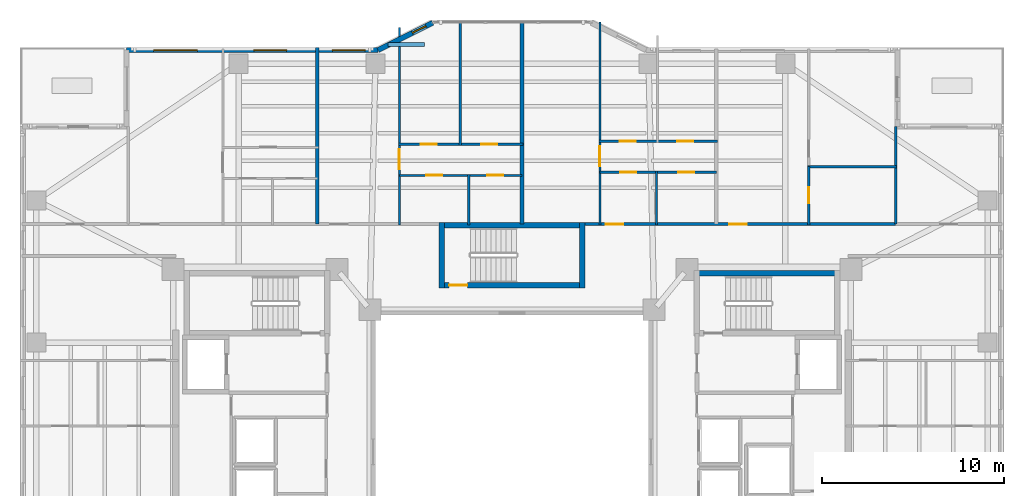
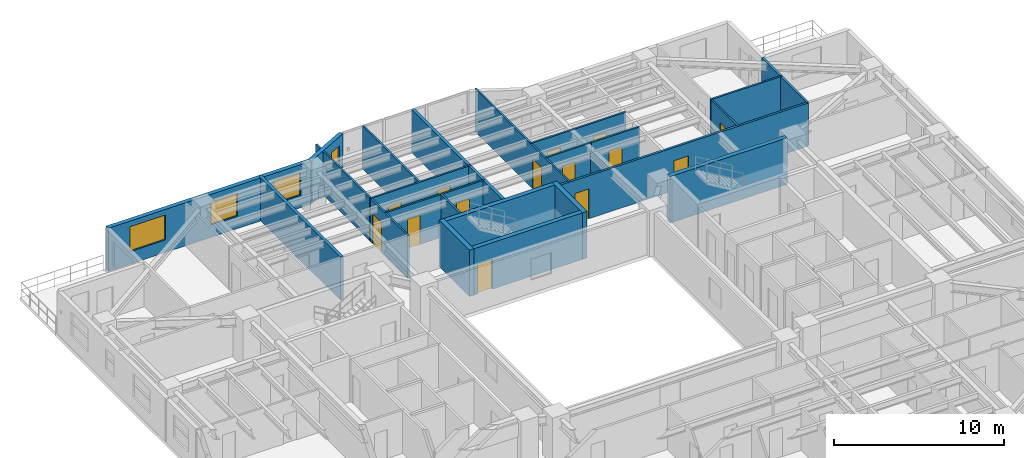
# One storey, part 11 of 19: 25 walls, 14 doors, 4 windows, 18 openings.
"""IFC4 building model written with IfcOpenShell, lengths in metres."""

from ifc_helpers import new_model, si_unit, direction, frame, frame_2d, origin, place, context, subcontext, project, spatial, rectangle, extrude, material, layer, layer_set, type_object, element, fill, save


model = new_model("IFC4")

# Units and contexts
model_context = context("Model", 3, precision=1e-05, world=origin(), true_north=direction((0.0, 1.0)))
body_context = subcontext(model_context, "Body", "Model", "MODEL_VIEW")
ifc_project = project(units=[si_unit("LENGTHUNIT", "METRE"), si_unit("AREAUNIT", "SQUARE_METRE"), si_unit("VOLUMEUNIT", "CUBIC_METRE"), si_unit("PLANEANGLEUNIT", "RADIAN"), si_unit("MASSUNIT", "GRAM", prefix="KILO")], contexts=[model_context])

# Site, building, storey
site_placement = place(None, origin())
site = spatial("IfcSite", under=ifc_project, at=site_placement, CompositionType="ELEMENT")
building_placement = place(site_placement, origin())
building = spatial("IfcBuilding", under=site, at=building_placement, Name="Tarnavaz Court Tower", CompositionType="ELEMENT")
storey_placement = place(building_placement, frame((0.0, 0.0, 78.300048828125)))
storey = spatial("IfcBuildingStorey", under=building, at=storey_placement, Name="L20", CompositionType="ELEMENT", Elevation=78.300048828125)

# Walls
ifc_material_1 = material(Name="Concrete C60/75", Category="concrete")
ifc_layer_1 = layer(ifc_material_1, 0.300048828125)
ifc_layer_set_1 = layer_set([ifc_layer_1], Name="Concrete C60/75")
wall_type_1 = type_object("IfcWallType", Name="WL-CORE-300-C60", PredefinedType="SHEAR", material=ifc_layer_set_1)
for number, where, z_axis, x_axis, name in (
    (1, (10.0, 9.7900390625, 0.0), (0.0, 0.0, 1.0), (1.0, 0.0, 0.0), "L20 East Stair Core Wall 005"),
    (2, (-4.0, 12.43994140625, 0.0), (0.0, 0.0, 1.0), (1.0, 0.0, 0.0), "L20 North Stair Core Wall 009"),
):
    element("IfcWall", number, at=place(storey_placement, frame(where, z_axis=z_axis, x_axis=x_axis)), inside=storey, type_object=wall_type_1, Name=name, PredefinedType="SHEAR", context=body_context, shape_type="SweptSolid", body=[
        extrude(rectangle(XDim=8.0, YDim=0.300048828125, at=frame_2d((4.0, 0.0))), origin(), (0.0, 0.0, 1.0), 3.349853515625),
    ])

# Wall, opening, door
wall_1_placement = place(storey_placement, frame((-4.0, 9.14990234375, 0.0), z_axis=(0.0, 0.0, 1.0), x_axis=(1.0, 0.0, 0.0)))
wall_1 = element("IfcWall", 3, at=wall_1_placement, inside=storey, type_object=wall_type_1, Name="L20 North Stair Core Wall 010", PredefinedType="SHEAR", context=body_context, shape_type="SweptSolid", body=[
    extrude(rectangle(XDim=8.0, YDim=0.300048828125, at=frame_2d((4.0, 0.0))), origin(), (0.0, 0.0, 1.0), 3.349853515625),
])
opening_1_placement = place(wall_1_placement, frame((0.550048828125, 0.0, 0.0)))
opening_1 = element("IfcOpeningElement", 4, at=opening_1_placement, cuts=wall_1, Name="Opening D01", PredefinedType="OPENING", context=body_context, shape_type="SweptSolid", body=[
    extrude(rectangle(XDim=1.0, YDim=2.14990234375, at=frame_2d((0.5, 1.074951171875))), frame((0.0, 0.159912109375, 0.0), z_axis=(0.0, -1.0, 0.0), x_axis=(1.0, 0.0, 0.0)), (0.0, 0.0, 1.0), 0.320068359375),
])
ifc_material_2 = material(Name="Fire-Rated Hardwood Timber Core", Category="wood")
door_type_1 = type_object("IfcDoorType", Name="DR-FD90-1000", OperationType="NOTDEFINED", PredefinedType="DOOR", material=ifc_material_2)
door_1_placement = place(opening_1_placement, origin())
door_1 = element("IfcDoor", 5, at=door_1_placement, inside=storey, type_object=door_type_1, Name="L20 Stair ST-N1 Exit Door", OperationType="SINGLE_SWING_LEFT", OverallHeight=2.14990234375, OverallWidth=1.0, PredefinedType="DOOR", context=body_context, shape_type="SweptSolid", body=[
    extrude(rectangle(XDim=1.0, YDim=2.14990234375, at=frame_2d((0.5, 1.074951171875))), frame((0.0, 0.02490234375, 0.0), z_axis=(0.0, -1.0, 0.0), x_axis=(1.0, 0.0, 0.0)), (0.0, 0.0, 1.0), 0.050048828125),
])
fill(opening_1, door_1)

# Walls
for number, where, z_axis, x_axis, name in (
    (6, (-3.85009765625, 9.0, 0.0), (0.0, 0.0, 1.0), (0.0, 1.0, 0.0), "L20 North Stair Core Wall 011"),
    (7, (3.85009765625, 9.0, 0.0), (0.0, 0.0, 1.0), (0.0, 1.0, 0.0), "L20 North Stair Core Wall 012"),
):
    element("IfcWall", number, at=place(storey_placement, frame(where, z_axis=z_axis, x_axis=x_axis)), inside=storey, type_object=wall_type_1, Name=name, PredefinedType="SHEAR", context=body_context, shape_type="SweptSolid", body=[
        extrude(rectangle(XDim=3.590087890625, YDim=0.300048828125, at=frame_2d((1.794921875, 0.0))), origin(), (0.0, 0.0, 1.0), 3.349853515625),
    ])

# Wall, openings, windows
ifc_material_3 = material(Name="Precast Concrete C40/50", Category="concrete")
ifc_layer_2 = layer(ifc_material_3, 0.280029296875)
ifc_layer_set_2 = layer_set([ifc_layer_2], Name="Precast Concrete C40/50")
wall_type_2 = type_object("IfcWallType", Name="WL-EXT-280", PredefinedType="SOLIDWALL", material=ifc_layer_set_2)
wall_2_placement = place(storey_placement, frame((-21.14990234375, 22.050048828125, 0.0), z_axis=(0.0, 0.0, 1.0), x_axis=(1.0, 0.0, 0.0)))
wall_2 = element("IfcWall", 8, at=wall_2_placement, inside=storey, type_object=wall_type_2, Name="L20 Exterior Terracotta Facade Wall 05", PredefinedType="SOLIDWALL", context=body_context, shape_type="SweptSolid", body=[
    extrude(rectangle(XDim=13.7998046875, YDim=0.280029296875, at=frame_2d((6.89990234375, 0.0))), origin(), (0.0, 0.0, 1.0), 3.099853515625),
])
opening_2_placement = place(wall_2_placement, frame((1.484619140625, 0.0, 0.89990234375)))
opening_2 = element("IfcOpeningElement", 9, at=opening_2_placement, cuts=wall_2, Name="Opening W06", PredefinedType="OPENING", context=body_context, shape_type="SweptSolid", body=[
    extrude(rectangle(XDim=2.39990234375, YDim=1.800048828125, at=frame_2d((1.199951171875, 0.89990234375))), frame((0.0, 0.14990234375, 0.0), z_axis=(0.0, -1.0, 0.0), x_axis=(1.0, 0.0, 0.0)), (0.0, 0.0, 1.0), 0.300048828125),
])
opening_3_placement = place(wall_2_placement, frame((6.978515625, 0.0, 0.89990234375)))
opening_3 = element("IfcOpeningElement", 10, at=opening_3_placement, cuts=wall_2, Name="Opening W01", PredefinedType="OPENING", context=body_context, shape_type="SweptSolid", body=[
    extrude(rectangle(XDim=1.800048828125, YDim=1.64990234375, at=frame_2d((0.89990234375, 0.824951171875))), frame((0.0, 0.14990234375, 0.0), z_axis=(0.0, -1.0, 0.0), x_axis=(1.0, 0.0, 0.0)), (0.0, 0.0, 1.0), 0.300048828125),
])
opening_4_placement = place(wall_2_placement, frame((11.294189453125, 0.0, 0.89990234375)))
opening_4 = element("IfcOpeningElement", 11, at=opening_4_placement, cuts=wall_2, Name="Opening W01", PredefinedType="OPENING", context=body_context, shape_type="SweptSolid", body=[
    extrude(rectangle(XDim=1.800048828125, YDim=1.64990234375, at=frame_2d((0.89990234375, 0.824951171875))), frame((0.0, 0.14990234375, 0.0), z_axis=(0.0, -1.0, 0.0), x_axis=(1.0, 0.0, 0.0)), (0.0, 0.0, 1.0), 0.300048828125),
])
ifc_material_4 = material(Name="Double-Glazed Solar Low-E Glass", Category="glass")
window_type_1 = type_object("IfcWindowType", Name="WN-APT-1800", PartitioningType="DOUBLE_PANEL_VERTICAL", PredefinedType="WINDOW", material=ifc_material_4)
window_1_placement = place(opening_3_placement, origin())
window_1 = element("IfcWindow", 12, at=window_1_placement, inside=storey, type_object=window_type_1, Name="L20 Flat 01 Bedroom 1 Window", OverallHeight=1.64990234375, OverallWidth=1.800048828125, PartitioningType="SINGLE_PANEL", PredefinedType="WINDOW", context=body_context, shape_type="SweptSolid", body=[
    extrude(rectangle(XDim=1.800048828125, YDim=1.64990234375, at=frame_2d((0.89990234375, 0.824951171875))), frame((0.0, 0.030029296875, 0.0), z_axis=(0.0, -1.0, 0.0), x_axis=(1.0, 0.0, 0.0)), (0.0, 0.0, 1.0), 0.06005859375),
])
fill(opening_3, window_1)
window_2_placement = place(opening_4_placement, origin())
window_2 = element("IfcWindow", 13, at=window_2_placement, inside=storey, type_object=window_type_1, Name="L20 Flat 02 Living and Dining Room Window", OverallHeight=1.64990234375, OverallWidth=1.800048828125, PartitioningType="SINGLE_PANEL", PredefinedType="WINDOW", context=body_context, shape_type="SweptSolid", body=[
    extrude(rectangle(XDim=1.800048828125, YDim=1.64990234375, at=frame_2d((0.89990234375, 0.824951171875))), frame((0.0, 0.030029296875, 0.0), z_axis=(0.0, -1.0, 0.0), x_axis=(1.0, 0.0, 0.0)), (0.0, 0.0, 1.0), 0.06005859375),
])
fill(opening_4, window_2)
window_type_2 = type_object("IfcWindowType", Name="WN-APT-2400", PartitioningType="TRIPLE_PANEL_VERTICAL", PredefinedType="WINDOW", material=ifc_material_4)
window_3_placement = place(opening_2_placement, origin())
window_3 = element("IfcWindow", 14, at=window_3_placement, inside=storey, type_object=window_type_2, Name="L20 Flat 01 Living and Dining Room Window", OverallHeight=1.800048828125, OverallWidth=2.39990234375, PartitioningType="SINGLE_PANEL", PredefinedType="WINDOW", context=body_context, shape_type="SweptSolid", body=[
    extrude(rectangle(XDim=2.39990234375, YDim=1.800048828125, at=frame_2d((1.199951171875, 0.89990234375))), frame((0.0, 0.030029296875, 0.0), z_axis=(0.0, -1.0, 0.0), x_axis=(1.0, 0.0, 0.0)), (0.0, 0.0, 1.0), 0.06005859375),
])
fill(opening_2, window_3)

# Wall, opening, window
wall_3_placement = place(storey_placement, frame((-7.35009765625, 22.050048828125, 0.0), z_axis=(0.0, 0.0, 1.0), x_axis=(0.894427191, 0.4472135955, 0.0)))
wall_3 = element("IfcWall", 15, at=wall_3_placement, inside=storey, type_object=wall_type_2, Name="L20 Exterior Terracotta Facade Wall 06", PredefinedType="SOLIDWALL", context=body_context, shape_type="SweptSolid", body=[
    extrude(rectangle(XDim=3.35400390625, YDim=0.280029296875, at=frame_2d((1.677001953125, 0.0))), origin(), (0.0, 0.0, 1.0), 3.099853515625),
])
opening_5_placement = place(wall_3_placement, frame((2.098876953125, 0.0, 0.949951171875)))
opening_5 = element("IfcOpeningElement", 16, at=opening_5_placement, cuts=wall_3, Name="Opening W15", PredefinedType="OPENING", context=body_context, shape_type="SweptSolid", body=[
    extrude(rectangle(XDim=0.85009765625, YDim=1.5, at=frame_2d((0.425048828125, 0.75))), frame((0.0, 0.14990234375, 0.0), z_axis=(0.0, -1.0, 0.0), x_axis=(1.0, 0.0, 0.0)), (0.0, 0.0, 1.0), 0.300048828125),
])
window_type_3 = type_object("IfcWindowType", Name="WN-APT-850", PartitioningType="SINGLE_PANEL", PredefinedType="WINDOW", material=ifc_material_4)
window_4_placement = place(opening_5_placement, origin())
window_4 = element("IfcWindow", 17, at=window_4_placement, inside=storey, type_object=window_type_3, Name="L20 Flat 02 Principal Bedroom Window", OverallHeight=1.5, OverallWidth=0.85009765625, PartitioningType="SINGLE_PANEL", PredefinedType="WINDOW", context=body_context, shape_type="SweptSolid", body=[
    extrude(rectangle(XDim=0.85009765625, YDim=1.5, at=frame_2d((0.425048828125, 0.75))), frame((0.0, 0.030029296875, 0.0), z_axis=(0.0, -1.0, 0.0), x_axis=(1.0, 0.0, 0.0)), (0.0, 0.0, 1.0), 0.06005859375),
])
fill(opening_5, window_4)

# Wall, openings, doors
ifc_material_5 = material(Name="Gypsum Fire-Board on Acoustic Metal Stud", Category="masonry")
ifc_layer_3 = layer(ifc_material_5, 0.14990234375)
ifc_layer_set_3 = layer_set([ifc_layer_3], Name="Gypsum Fire-Board on Acoustic Metal Stud")
wall_type_3 = type_object("IfcWallType", Name="WL-FIRE-150", PredefinedType="PARTITIONING", material=ifc_layer_set_3)
wall_4_placement = place(storey_placement, frame((3.85009765625, 12.5, 0.0), z_axis=(0.0, 0.0, 1.0), x_axis=(1.0, 0.0, 0.0)))
wall_4 = element("IfcWall", 18, at=wall_4_placement, inside=storey, type_object=wall_type_3, Name="L20 NE Wing Corridor Wall 072", PredefinedType="PARTITIONING", context=body_context, shape_type="SweptSolid", body=[
    extrude(rectangle(XDim=17.199951171875, YDim=0.14990234375, at=frame_2d((8.60009765625, 0.0))), origin(), (0.0, 0.0, 1.0), 3.099853515625),
])
opening_6_placement = place(wall_4_placement, frame((1.300048828125, 0.0, 0.0)))
opening_6 = element("IfcOpeningElement", 19, at=opening_6_placement, cuts=wall_4, Name="Opening D06", PredefinedType="OPENING", context=body_context, shape_type="SweptSolid", body=[
    extrude(rectangle(XDim=0.9599609375, YDim=2.14990234375, at=frame_2d((0.47998046875, 1.074951171875))), frame((0.0, 0.0849609375, 0.0), z_axis=(0.0, -1.0, 0.0), x_axis=(1.0, 0.0, 0.0)), (0.0, 0.0, 1.0), 0.169921875),
])
opening_7_placement = place(wall_4_placement, frame((8.06005859375, 0.0, 0.0)))
opening_7 = element("IfcOpeningElement", 20, at=opening_7_placement, cuts=wall_4, Name="Opening D06", PredefinedType="OPENING", context=body_context, shape_type="SweptSolid", body=[
    extrude(rectangle(XDim=0.9599609375, YDim=2.14990234375, at=frame_2d((0.47998046875, 1.074951171875))), frame((0.0, 0.0849609375, 0.0), z_axis=(0.0, -1.0, 0.0), x_axis=(1.0, 0.0, 0.0)), (0.0, 0.0, 1.0), 0.169921875),
])
door_type_2 = type_object("IfcDoorType", Name="DR-FD60-950", OperationType="NOTDEFINED", PredefinedType="DOOR", material=ifc_material_2)
door_2_placement = place(opening_6_placement, origin())
door_2 = element("IfcDoor", 21, at=door_2_placement, inside=storey, type_object=door_type_2, Name="L20 Flat 03 Entrance Door", OperationType="SINGLE_SWING_RIGHT", OverallHeight=2.14990234375, OverallWidth=0.9599609375, PredefinedType="DOOR", context=body_context, shape_type="SweptSolid", body=[
    extrude(rectangle(XDim=0.9599609375, YDim=2.14990234375, at=frame_2d((0.47998046875, 1.074951171875))), frame((0.0, 0.02490234375, 0.0), z_axis=(0.0, -1.0, 0.0), x_axis=(1.0, 0.0, 0.0)), (0.0, 0.0, 1.0), 0.050048828125),
])
fill(opening_6, door_2)
door_3_placement = place(opening_7_placement, origin())
door_3 = element("IfcDoor", 22, at=door_3_placement, inside=storey, type_object=door_type_2, Name="L20 Flat 04 Entrance Door", OperationType="SINGLE_SWING_RIGHT", OverallHeight=2.14990234375, OverallWidth=0.9599609375, PredefinedType="DOOR", context=body_context, shape_type="SweptSolid", body=[
    extrude(rectangle(XDim=0.9599609375, YDim=2.14990234375, at=frame_2d((0.47998046875, 1.074951171875))), frame((0.0, 0.02490234375, 0.0), z_axis=(0.0, -1.0, 0.0), x_axis=(1.0, 0.0, 0.0)), (0.0, 0.0, 1.0), 0.050048828125),
])
fill(opening_7, door_3)

# Walls
ifc_material_6 = material(Name="Autoclaved Aerated Concrete Blockwork", Category="masonry")
ifc_layer_4 = layer(ifc_material_6, 0.199951171875)
ifc_layer_set_4 = layer_set([ifc_layer_4], Name="Autoclaved Aerated Concrete Blockwork")
wall_type_4 = type_object("IfcWallType", Name="WL-FIRE-200", PredefinedType="SOLIDWALL", material=ifc_layer_set_4)
wall_5_placement = place(storey_placement, frame((0.550048828125, 12.5, 0.0), z_axis=(0.0, 0.0, 1.0), x_axis=(0.0, 1.0, 0.0)))
element("IfcWall", 23, at=wall_5_placement, inside=storey, type_object=wall_type_4, Name="L20 North Center Party Wall 075", PredefinedType="SOLIDWALL", context=body_context, shape_type="SweptSolid", body=[
    extrude(rectangle(XDim=11.080078125, YDim=0.199951171875, at=frame_2d((5.5400390625, 0.0))), origin(), (0.0, 0.0, 1.0), 3.099853515625),
])
wall_6_placement = place(storey_placement, frame((-10.681884765625, 12.5, 0.0), z_axis=(0.0, 0.0, 1.0), x_axis=(0.0, 1.0, 0.0)))
element("IfcWall", 24, at=wall_6_placement, inside=storey, type_object=wall_type_4, Name="L20 Party Wall 076", PredefinedType="SOLIDWALL", context=body_context, shape_type="SweptSolid", body=[
    extrude(rectangle(XDim=9.677978515625, YDim=0.199951171875, at=frame_2d((4.8388671875, 0.0))), origin(), (0.0, 0.0, 1.0), 3.099853515625),
])
ifc_layer_5 = layer(ifc_material_3, 0.219970703125)
ifc_layer_set_5 = layer_set([ifc_layer_5], Name="Precast Concrete C40/50")
wall_type_5 = type_object("IfcWallType", Name="WL-PARAPET-220", PredefinedType="PARAPET", material=ifc_layer_set_5)
wall_7_placement = place(storey_placement, frame((-6.800048828125, 22.35009765625, 0.0), z_axis=(0.0, 0.0, 1.0), x_axis=(1.0, 0.0, 0.0)))
element("IfcWall", 25, at=wall_7_placement, inside=storey, type_object=wall_type_5, Name="L20 North Prow Terracotta Parapet Upstand", PredefinedType="PARAPET", context=body_context, shape_type="SweptSolid", body=[
    extrude(rectangle(XDim=2.0, YDim=0.219970703125, at=frame_2d((1.0, 0.0))), origin(), (0.0, 0.0, 1.0), 0.849853515625),
])

# Wall, opening, door
ifc_material_7 = material(Name="Moisture-Resistant Gypsum Board Partition", Category="masonry")
ifc_layer_6 = layer(ifc_material_7, 0.1201171875)
ifc_layer_set_6 = layer_set([ifc_layer_6], Name="Moisture-Resistant Gypsum Board Partition")
wall_type_6 = type_object("IfcWallType", Name="WL-PART-120", PredefinedType="PARTITIONING", material=ifc_layer_set_6)
wall_8_placement = place(storey_placement, frame((-6.177001953125, 12.43994140625, 0.0), z_axis=(0.0, 0.0, 1.0), x_axis=(0.0, 1.0, 0.0)))
wall_8 = element("IfcWall", 26, at=wall_8_placement, inside=storey, type_object=wall_type_6, Name="L20 Interior Partition 082", PredefinedType="PARTITIONING", context=body_context, shape_type="SweptSolid", body=[
    extrude(rectangle(XDim=10.85009765625, YDim=0.1201171875, at=frame_2d((5.425048828125, 0.0))), origin(), (0.0, 0.0, 1.0), 3.099853515625),
])
opening_8_placement = place(wall_8_placement, frame((3.074951171875, 0.0, 0.0)))
opening_8 = element("IfcOpeningElement", 27, at=opening_8_placement, cuts=wall_8, Name="Opening D12", PredefinedType="OPENING", context=body_context, shape_type="SweptSolid", body=[
    extrude(rectangle(XDim=1.080078125, YDim=2.14990234375, at=frame_2d((0.5400390625, 1.074951171875))), frame((0.0, 0.070068359375, 0.0), z_axis=(0.0, -1.0, 0.0), x_axis=(1.0, 0.0, 0.0)), (0.0, 0.0, 1.0), 0.14013671875),
])
ifc_material_8 = material(Name="Engineered Oak Timber", Category="wood")
door_type_3 = type_object("IfcDoorType", Name="DR-INT-1100", OperationType="NOTDEFINED", PredefinedType="DOOR", material=ifc_material_8)
door_4_placement = place(opening_8_placement, origin())
door_4 = element("IfcDoor", 28, at=door_4_placement, inside=storey, type_object=door_type_3, Name="L20 Flat 02 Foyer Door", OperationType="SINGLE_SWING_LEFT", OverallHeight=2.14990234375, OverallWidth=1.080078125, PredefinedType="DOOR", context=body_context, shape_type="SweptSolid", body=[
    extrude(rectangle(XDim=1.080078125, YDim=2.14990234375, at=frame_2d((0.5400390625, 1.074951171875))), frame((0.0, 0.02490234375, 0.0), z_axis=(0.0, -1.0, 0.0), x_axis=(1.0, 0.0, 0.0)), (0.0, 0.0, 1.0), 0.050048828125),
])
fill(opening_8, door_4)

wall_9_placement = place(storey_placement, frame((-6.177001953125, 15.169921875, 0.0), z_axis=(0.0, 0.0, 1.0), x_axis=(1.0, 0.0, 0.0)))
wall_9 = element("IfcWall", 29, at=wall_9_placement, inside=storey, type_object=wall_type_6, Name="L20 Interior Partition 083", PredefinedType="PARTITIONING", context=body_context, shape_type="SweptSolid", body=[
    extrude(rectangle(XDim=3.800048828125, YDim=0.1201171875, at=frame_2d((1.89990234375, 0.0))), origin(), (0.0, 0.0, 1.0), 3.099853515625),
])
opening_9_placement = place(wall_9_placement, frame((1.4599609375, 0.0, 0.0)))
opening_9 = element("IfcOpeningElement", 30, at=opening_9_placement, cuts=wall_9, Name="Opening D14", PredefinedType="OPENING", context=body_context, shape_type="SweptSolid", body=[
    extrude(rectangle(XDim=0.8798828125, YDim=2.10009765625, at=frame_2d((0.43994140625, 1.050048828125))), frame((0.0, 0.070068359375, 0.0), z_axis=(0.0, -1.0, 0.0), x_axis=(1.0, 0.0, 0.0)), (0.0, 0.0, 1.0), 0.14013671875),
])
door_type_4 = type_object("IfcDoorType", Name="DR-INT-900", OperationType="NOTDEFINED", PredefinedType="DOOR", material=ifc_material_8)
door_5_placement = place(opening_9_placement, origin())
door_5 = element("IfcDoor", 31, at=door_5_placement, inside=storey, type_object=door_type_4, Name="L20 Flat 02 Kitchen Door", OperationType="SINGLE_SWING_RIGHT", OverallHeight=2.10009765625, OverallWidth=0.8798828125, PredefinedType="DOOR", context=body_context, shape_type="SweptSolid", body=[
    extrude(rectangle(XDim=0.8798828125, YDim=2.10009765625, at=frame_2d((0.43994140625, 1.050048828125))), frame((0.0, 0.02490234375, 0.0), z_axis=(0.0, -1.0, 0.0), x_axis=(1.0, 0.0, 0.0)), (0.0, 0.0, 1.0), 0.050048828125),
])
fill(opening_9, door_5)

wall_10_placement = place(storey_placement, frame((-2.376953125, 15.169921875, 0.0), z_axis=(0.0, 0.0, 1.0), x_axis=(1.0, 0.0, 0.0)))
wall_10 = element("IfcWall", 32, at=wall_10_placement, inside=storey, type_object=wall_type_6, Name="L20 Interior Partition 084", PredefinedType="PARTITIONING", context=body_context, shape_type="SweptSolid", body=[
    extrude(rectangle(XDim=2.927001953125, YDim=0.1201171875, at=frame_2d((1.46337890625, 0.0))), origin(), (0.0, 0.0, 1.0), 3.099853515625),
])
opening_10_placement = place(wall_10_placement, frame((1.02294921875, 0.0, 0.0)))
opening_10 = element("IfcOpeningElement", 33, at=opening_10_placement, cuts=wall_10, Name="Opening D14", PredefinedType="OPENING", context=body_context, shape_type="SweptSolid", body=[
    extrude(rectangle(XDim=0.8798828125, YDim=2.10009765625, at=frame_2d((0.43994140625, 1.050048828125))), frame((0.0, 0.070068359375, 0.0), z_axis=(0.0, -1.0, 0.0), x_axis=(1.0, 0.0, 0.0)), (0.0, 0.0, 1.0), 0.14013671875),
])
door_6_placement = place(opening_10_placement, origin())
door_6 = element("IfcDoor", 34, at=door_6_placement, inside=storey, type_object=door_type_4, Name="L20 Flat 02 Bathroom Door", OperationType="SINGLE_SWING_LEFT", OverallHeight=2.10009765625, OverallWidth=0.8798828125, PredefinedType="DOOR", context=body_context, shape_type="SweptSolid", body=[
    extrude(rectangle(XDim=0.8798828125, YDim=2.10009765625, at=frame_2d((0.43994140625, 1.050048828125))), frame((0.0, 0.02490234375, 0.0), z_axis=(0.0, -1.0, 0.0), x_axis=(1.0, 0.0, 0.0)), (0.0, 0.0, 1.0), 0.050048828125),
])
fill(opening_10, door_6)

# Wall, openings, doors
wall_11_placement = place(storey_placement, frame((-6.237060546875, 16.8798828125, 0.0), z_axis=(0.0, 0.0, 1.0), x_axis=(1.0, 0.0, 0.0)))
wall_11 = element("IfcWall", 35, at=wall_11_placement, inside=storey, type_object=wall_type_6, Name="L20 Interior Partition 085", PredefinedType="PARTITIONING", context=body_context, shape_type="SweptSolid", body=[
    extrude(rectangle(XDim=6.84716796875, YDim=0.1201171875, at=frame_2d((3.423583984375, 0.0))), origin(), (0.0, 0.0, 1.0), 3.099853515625),
])
opening_11_placement = place(wall_11_placement, frame((1.22705078125, 0.0, 0.0)))
opening_11 = element("IfcOpeningElement", 36, at=opening_11_placement, cuts=wall_11, Name="Opening D14", PredefinedType="OPENING", context=body_context, shape_type="SweptSolid", body=[
    extrude(rectangle(XDim=0.8798828125, YDim=2.10009765625, at=frame_2d((0.43994140625, 1.050048828125))), frame((0.0, 0.070068359375, 0.0), z_axis=(0.0, -1.0, 0.0), x_axis=(1.0, 0.0, 0.0)), (0.0, 0.0, 1.0), 0.14013671875),
])
opening_12_placement = place(wall_11_placement, frame((4.56005859375, 0.0, 0.0)))
opening_12 = element("IfcOpeningElement", 37, at=opening_12_placement, cuts=wall_11, Name="Opening D14", PredefinedType="OPENING", context=body_context, shape_type="SweptSolid", body=[
    extrude(rectangle(XDim=0.8798828125, YDim=2.10009765625, at=frame_2d((0.43994140625, 1.050048828125))), frame((0.0, 0.070068359375, 0.0), z_axis=(0.0, -1.0, 0.0), x_axis=(1.0, 0.0, 0.0)), (0.0, 0.0, 1.0), 0.14013671875),
])
door_7_placement = place(opening_11_placement, origin())
door_7 = element("IfcDoor", 38, at=door_7_placement, inside=storey, type_object=door_type_4, Name="L20 Flat 02 Bedroom 1 Door", OperationType="SINGLE_SWING_RIGHT", OverallHeight=2.10009765625, OverallWidth=0.8798828125, PredefinedType="DOOR", context=body_context, shape_type="SweptSolid", body=[
    extrude(rectangle(XDim=0.8798828125, YDim=2.10009765625, at=frame_2d((0.43994140625, 1.050048828125))), frame((0.0, 0.02490234375, 0.0), z_axis=(0.0, -1.0, 0.0), x_axis=(1.0, 0.0, 0.0)), (0.0, 0.0, 1.0), 0.050048828125),
])
fill(opening_11, door_7)
door_8_placement = place(opening_12_placement, origin())
door_8 = element("IfcDoor", 39, at=door_8_placement, inside=storey, type_object=door_type_4, Name="L20 Flat 02 Bedroom 2 Door", OperationType="SINGLE_SWING_LEFT", OverallHeight=2.10009765625, OverallWidth=0.8798828125, PredefinedType="DOOR", context=body_context, shape_type="SweptSolid", body=[
    extrude(rectangle(XDim=0.8798828125, YDim=2.10009765625, at=frame_2d((0.43994140625, 1.050048828125))), frame((0.0, 0.02490234375, 0.0), z_axis=(0.0, -1.0, 0.0), x_axis=(1.0, 0.0, 0.0)), (0.0, 0.0, 1.0), 0.050048828125),
])
fill(opening_12, door_8)

# Walls
wall_12_placement = place(storey_placement, frame((-2.376953125, 12.43994140625, 0.0), z_axis=(0.0, 0.0, 1.0), x_axis=(0.0, 1.0, 0.0)))
element("IfcWall", 40, at=wall_12_placement, inside=storey, type_object=wall_type_6, Name="L20 Interior Partition 086", PredefinedType="PARTITIONING", context=body_context, shape_type="SweptSolid", body=[
    extrude(rectangle(XDim=2.7900390625, YDim=0.1201171875, at=frame_2d((1.39501953125, 0.0))), origin(), (0.0, 0.0, 1.0), 3.099853515625),
])
wall_13_placement = place(storey_placement, frame((-2.843017578125, 16.820068359375, 0.0), z_axis=(0.0, 0.0, 1.0), x_axis=(0.0, 1.0, 0.0)))
element("IfcWall", 41, at=wall_13_placement, inside=storey, type_object=wall_type_6, Name="L20 Interior Partition 087", PredefinedType="PARTITIONING", context=body_context, shape_type="SweptSolid", body=[
    extrude(rectangle(XDim=6.760009765625, YDim=0.1201171875, at=frame_2d((3.3798828125, 0.0))), origin(), (0.0, 0.0, 1.0), 3.099853515625),
])

# Wall, opening, door
wall_14_placement = place(storey_placement, frame((4.825927734375, 12.43994140625, 0.0), z_axis=(0.0, 0.0, 1.0), x_axis=(0.0, 1.0, 0.0)))
wall_14 = element("IfcWall", 42, at=wall_14_placement, inside=storey, type_object=wall_type_6, Name="L20 Interior Partition 089", PredefinedType="PARTITIONING", context=body_context, shape_type="SweptSolid", body=[
    extrude(rectangle(XDim=11.14013671875, YDim=0.1201171875, at=frame_2d((5.570068359375, 0.0))), origin(), (0.0, 0.0, 1.0), 3.099853515625),
])
opening_13_placement = place(wall_14_placement, frame((3.2451171875, 0.0, 0.0)))
opening_13 = element("IfcOpeningElement", 43, at=opening_13_placement, cuts=wall_14, Name="Opening D12", PredefinedType="OPENING", context=body_context, shape_type="SweptSolid", body=[
    extrude(rectangle(XDim=1.080078125, YDim=2.14990234375, at=frame_2d((0.5400390625, 1.074951171875))), frame((0.0, 0.070068359375, 0.0), z_axis=(0.0, -1.0, 0.0), x_axis=(1.0, 0.0, 0.0)), (0.0, 0.0, 1.0), 0.14013671875),
])
door_9_placement = place(opening_13_placement, origin())
door_9 = element("IfcDoor", 44, at=door_9_placement, inside=storey, type_object=door_type_3, Name="L20 Flat 03 Foyer Door", OperationType="SINGLE_SWING_LEFT", OverallHeight=2.14990234375, OverallWidth=1.080078125, PredefinedType="DOOR", context=body_context, shape_type="SweptSolid", body=[
    extrude(rectangle(XDim=1.080078125, YDim=2.14990234375, at=frame_2d((0.5400390625, 1.074951171875))), frame((0.0, 0.02490234375, 0.0), z_axis=(0.0, -1.0, 0.0), x_axis=(1.0, 0.0, 0.0)), (0.0, 0.0, 1.0), 0.050048828125),
])
fill(opening_13, door_9)

wall_15_placement = place(storey_placement, frame((4.825927734375, 15.340087890625, 0.0), z_axis=(0.0, 0.0, 1.0), x_axis=(1.0, 0.0, 0.0)))
wall_15 = element("IfcWall", 45, at=wall_15_placement, inside=storey, type_object=wall_type_6, Name="L20 Interior Partition 090", PredefinedType="PARTITIONING", context=body_context, shape_type="SweptSolid", body=[
    extrude(rectangle(XDim=3.09912109375, YDim=0.1201171875, at=frame_2d((1.549560546875, 0.0))), origin(), (0.0, 0.0, 1.0), 3.099853515625),
])
opening_14_placement = place(wall_15_placement, frame((1.110107421875, 0.0, 0.0)))
opening_14 = element("IfcOpeningElement", 46, at=opening_14_placement, cuts=wall_15, Name="Opening D14", PredefinedType="OPENING", context=body_context, shape_type="SweptSolid", body=[
    extrude(rectangle(XDim=0.8798828125, YDim=2.10009765625, at=frame_2d((0.43994140625, 1.050048828125))), frame((0.0, 0.070068359375, 0.0), z_axis=(0.0, -1.0, 0.0), x_axis=(1.0, 0.0, 0.0)), (0.0, 0.0, 1.0), 0.14013671875),
])
door_10_placement = place(opening_14_placement, origin())
door_10 = element("IfcDoor", 47, at=door_10_placement, inside=storey, type_object=door_type_4, Name="L20 Flat 03 Kitchen Door", OperationType="SINGLE_SWING_RIGHT", OverallHeight=2.10009765625, OverallWidth=0.8798828125, PredefinedType="DOOR", context=body_context, shape_type="SweptSolid", body=[
    extrude(rectangle(XDim=0.8798828125, YDim=2.10009765625, at=frame_2d((0.43994140625, 1.050048828125))), frame((0.0, 0.02490234375, 0.0), z_axis=(0.0, -1.0, 0.0), x_axis=(1.0, 0.0, 0.0)), (0.0, 0.0, 1.0), 0.050048828125),
])
fill(opening_14, door_10)

wall_16_placement = place(storey_placement, frame((7.925048828125, 15.340087890625, 0.0), z_axis=(0.0, 0.0, 1.0), x_axis=(1.0, 0.0, 0.0)))
wall_16 = element("IfcWall", 48, at=wall_16_placement, inside=storey, type_object=wall_type_6, Name="L20 Interior Partition 091", PredefinedType="PARTITIONING", context=body_context, shape_type="SweptSolid", body=[
    extrude(rectangle(XDim=3.284912109375, YDim=0.1201171875, at=frame_2d((1.642578125, 0.0))), origin(), (0.0, 0.0, 1.0), 3.099853515625),
])
opening_15_placement = place(wall_16_placement, frame((1.202880859375, 0.0, 0.0)))
opening_15 = element("IfcOpeningElement", 49, at=opening_15_placement, cuts=wall_16, Name="Opening D14", PredefinedType="OPENING", context=body_context, shape_type="SweptSolid", body=[
    extrude(rectangle(XDim=0.8798828125, YDim=2.10009765625, at=frame_2d((0.43994140625, 1.050048828125))), frame((0.0, 0.070068359375, 0.0), z_axis=(0.0, -1.0, 0.0), x_axis=(1.0, 0.0, 0.0)), (0.0, 0.0, 1.0), 0.14013671875),
])
door_11_placement = place(opening_15_placement, origin())
door_11 = element("IfcDoor", 50, at=door_11_placement, inside=storey, type_object=door_type_4, Name="L20 Flat 03 Bathroom Door", OperationType="SINGLE_SWING_LEFT", OverallHeight=2.10009765625, OverallWidth=0.8798828125, PredefinedType="DOOR", context=body_context, shape_type="SweptSolid", body=[
    extrude(rectangle(XDim=0.8798828125, YDim=2.10009765625, at=frame_2d((0.43994140625, 1.050048828125))), frame((0.0, 0.02490234375, 0.0), z_axis=(0.0, -1.0, 0.0), x_axis=(1.0, 0.0, 0.0)), (0.0, 0.0, 1.0), 0.050048828125),
])
fill(opening_15, door_11)

# Wall, openings, doors
wall_17_placement = place(storey_placement, frame((4.76611328125, 17.050048828125, 0.0), z_axis=(0.0, 0.0, 1.0), x_axis=(1.0, 0.0, 0.0)))
wall_17 = element("IfcWall", 51, at=wall_17_placement, inside=storey, type_object=wall_type_6, Name="L20 Interior Partition 092", PredefinedType="PARTITIONING", context=body_context, shape_type="SweptSolid", body=[
    extrude(rectangle(XDim=6.50390625, YDim=0.1201171875, at=frame_2d((3.251953125, 0.0))), origin(), (0.0, 0.0, 1.0), 3.099853515625),
])
opening_16_placement = place(wall_17_placement, frame((1.14111328125, 0.0, 0.0)))
opening_16 = element("IfcOpeningElement", 52, at=opening_16_placement, cuts=wall_17, Name="Opening D14", PredefinedType="OPENING", context=body_context, shape_type="SweptSolid", body=[
    extrude(rectangle(XDim=0.8798828125, YDim=2.10009765625, at=frame_2d((0.43994140625, 1.050048828125))), frame((0.0, 0.070068359375, 0.0), z_axis=(0.0, -1.0, 0.0), x_axis=(1.0, 0.0, 0.0)), (0.0, 0.0, 1.0), 0.14013671875),
])
opening_17_placement = place(wall_17_placement, frame((4.302978515625, 0.0, 0.0)))
opening_17 = element("IfcOpeningElement", 53, at=opening_17_placement, cuts=wall_17, Name="Opening D14", PredefinedType="OPENING", context=body_context, shape_type="SweptSolid", body=[
    extrude(rectangle(XDim=0.8798828125, YDim=2.10009765625, at=frame_2d((0.43994140625, 1.050048828125))), frame((0.0, 0.070068359375, 0.0), z_axis=(0.0, -1.0, 0.0), x_axis=(1.0, 0.0, 0.0)), (0.0, 0.0, 1.0), 0.14013671875),
])
door_12_placement = place(opening_16_placement, origin())
door_12 = element("IfcDoor", 54, at=door_12_placement, inside=storey, type_object=door_type_4, Name="L20 Flat 03 Bedroom 1 Door", OperationType="SINGLE_SWING_RIGHT", OverallHeight=2.10009765625, OverallWidth=0.8798828125, PredefinedType="DOOR", context=body_context, shape_type="SweptSolid", body=[
    extrude(rectangle(XDim=0.8798828125, YDim=2.10009765625, at=frame_2d((0.43994140625, 1.050048828125))), frame((0.0, 0.02490234375, 0.0), z_axis=(0.0, -1.0, 0.0), x_axis=(1.0, 0.0, 0.0)), (0.0, 0.0, 1.0), 0.050048828125),
])
fill(opening_16, door_12)
door_13_placement = place(opening_17_placement, origin())
door_13 = element("IfcDoor", 55, at=door_13_placement, inside=storey, type_object=door_type_4, Name="L20 Flat 03 Bedroom 2 Door", OperationType="SINGLE_SWING_LEFT", OverallHeight=2.10009765625, OverallWidth=0.8798828125, PredefinedType="DOOR", context=body_context, shape_type="SweptSolid", body=[
    extrude(rectangle(XDim=0.8798828125, YDim=2.10009765625, at=frame_2d((0.43994140625, 1.050048828125))), frame((0.0, 0.02490234375, 0.0), z_axis=(0.0, -1.0, 0.0), x_axis=(1.0, 0.0, 0.0)), (0.0, 0.0, 1.0), 0.050048828125),
])
fill(opening_17, door_13)

# Wall
wall_18_placement = place(storey_placement, frame((7.925048828125, 12.43994140625, 0.0), z_axis=(0.0, 0.0, 1.0), x_axis=(0.0, 1.0, 0.0)))
element("IfcWall", 56, at=wall_18_placement, inside=storey, type_object=wall_type_6, Name="L20 Interior Partition 093", PredefinedType="PARTITIONING", context=body_context, shape_type="SweptSolid", body=[
    extrude(rectangle(XDim=2.9599609375, YDim=0.1201171875, at=frame_2d((1.47998046875, 0.0))), origin(), (0.0, 0.0, 1.0), 2.43505859375),
])

# Wall, opening, door
wall_19_placement = place(storey_placement, frame((16.2900390625, 12.43994140625, 0.0), z_axis=(0.0, 0.0, 1.0), x_axis=(0.0, 1.0, 0.0)))
wall_19 = element("IfcWall", 57, at=wall_19_placement, inside=storey, type_object=wall_type_6, Name="L20 Interior Partition 095", PredefinedType="PARTITIONING", context=body_context, shape_type="SweptSolid", body=[
    extrude(rectangle(XDim=3.2099609375, YDim=0.1201171875, at=frame_2d((1.60498046875, 0.0))), origin(), (0.0, 0.0, 1.0), 3.099853515625),
])
opening_18_placement = place(wall_19_placement, frame((1.195068359375, 0.0, 0.0)))
opening_18 = element("IfcOpeningElement", 58, at=opening_18_placement, cuts=wall_19, Name="Opening D14", PredefinedType="OPENING", context=body_context, shape_type="SweptSolid", body=[
    extrude(rectangle(XDim=0.8798828125, YDim=2.10009765625, at=frame_2d((0.43994140625, 1.050048828125))), frame((0.0, 0.070068359375, 0.0), z_axis=(0.0, -1.0, 0.0), x_axis=(1.0, 0.0, 0.0)), (0.0, 0.0, 1.0), 0.14013671875),
])
door_14_placement = place(opening_18_placement, origin())
door_14 = element("IfcDoor", 59, at=door_14_placement, inside=storey, type_object=door_type_4, Name="L20 Flat 04 Bathroom Door", OperationType="SINGLE_SWING_LEFT", OverallHeight=2.10009765625, OverallWidth=0.8798828125, PredefinedType="DOOR", context=body_context, shape_type="SweptSolid", body=[
    extrude(rectangle(XDim=0.8798828125, YDim=2.10009765625, at=frame_2d((0.43994140625, 1.050048828125))), frame((0.0, 0.02490234375, 0.0), z_axis=(0.0, -1.0, 0.0), x_axis=(1.0, 0.0, 0.0)), (0.0, 0.0, 1.0), 0.050048828125),
])
fill(opening_18, door_14)

# Walls
wall_20_placement = place(storey_placement, frame((16.22998046875, 15.64990234375, 0.0), z_axis=(0.0, 0.0, 1.0), x_axis=(1.0, 0.0, 0.0)))
element("IfcWall", 60, at=wall_20_placement, inside=storey, type_object=wall_type_6, Name="L20 Interior Partition 097", PredefinedType="PARTITIONING", context=body_context, shape_type="SweptSolid", body=[
    extrude(rectangle(XDim=4.880126953125, YDim=0.1201171875, at=frame_2d((2.43994140625, 0.0))), origin(), (0.0, 0.0, 1.0), 3.099853515625),
])
ifc_material_9 = material(Name="Gypsum Plasterboard Acoustic Partition", Category="masonry")
ifc_layer_7 = layer(ifc_material_9, 0.139892578125)
ifc_layer_set_7 = layer_set([ifc_layer_7], Name="Gypsum Plasterboard Acoustic Partition")
wall_type_7 = type_object("IfcWallType", Name="WL-PART-150", PredefinedType="PARTITIONING", material=ifc_layer_set_7)
wall_21_placement = place(storey_placement, frame((21.050048828125, 12.5, 0.0), z_axis=(0.0, 0.0, 1.0), x_axis=(0.0, 1.0, 0.0)))
element("IfcWall", 61, at=wall_21_placement, inside=storey, type_object=wall_type_7, Name="L20 Interior Partition 129", PredefinedType="PARTITIONING", context=body_context, shape_type="SweptSolid", body=[
    extrude(rectangle(XDim=5.35009765625, YDim=0.139892578125, at=frame_2d((2.675048828125, 0.0))), origin(), (0.0, 0.0, 1.0), 3.099853515625),
])

save(model, "model.ifc")
